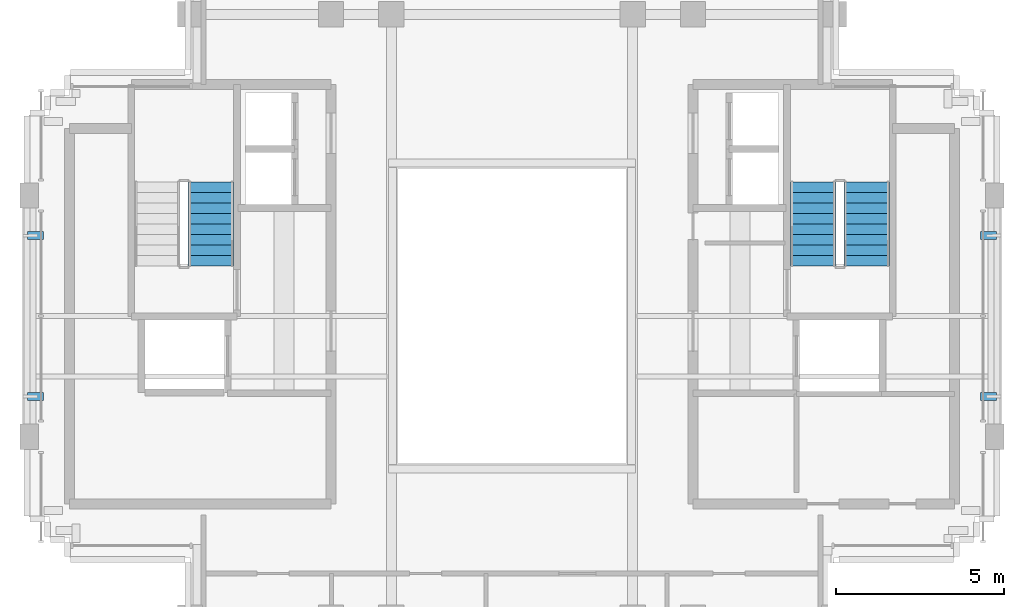
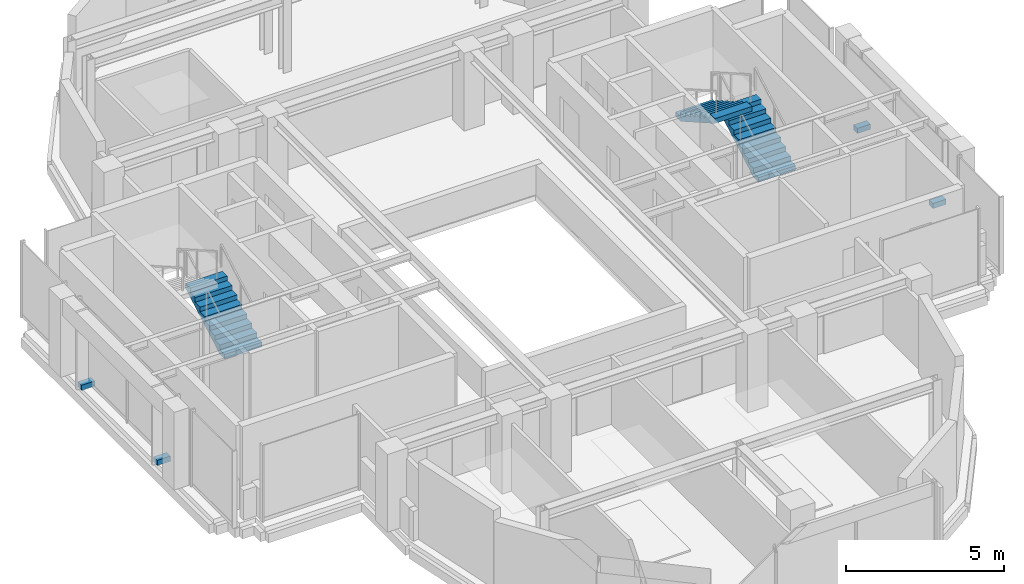
# One storey, part 9 of 11: 4 discrete accessories, 3 stair flights, 2 elements without a shape of their own.
"""IFC4 building model written with IfcOpenShell, lengths in metres."""

from ifc_helpers import new_model, si_unit, direction, frame, origin, origin_2d, place, context, subcontext, project, spatial, polyline, rectangle, outline, extrude, source, transform, mapped, material, type_object, element, aggregate, save


model = new_model("IFC4")

# Units and contexts
model_context = context("Model", 3, precision=1e-05, world=origin(), true_north=direction((0.0, 1.0)))
body_context = subcontext(model_context, "Body", "Model", "MODEL_VIEW")
ifc_project = project(units=[si_unit("LENGTHUNIT", "METRE"), si_unit("AREAUNIT", "SQUARE_METRE"), si_unit("VOLUMEUNIT", "CUBIC_METRE"), si_unit("PLANEANGLEUNIT", "RADIAN"), si_unit("MASSUNIT", "GRAM", prefix="KILO")], contexts=[model_context])

# Site, building, storey
site_placement = place(None, origin())
site = spatial("IfcSite", under=ifc_project, at=site_placement, CompositionType="ELEMENT")
building_placement = place(site_placement, origin())
building = spatial("IfcBuilding", under=site, at=building_placement, Name="Keilestroom Media Tower", CompositionType="ELEMENT")
storey_placement = place(building_placement, frame((0.0, 0.0, 265.199951171875)))
storey = spatial("IfcBuildingStorey", under=building, at=storey_placement, Name="L74", CompositionType="ELEMENT", Elevation=265.199951171875)

# Stair, stair flight
ifc_material_1 = material(Name="Concrete C45/55", Category="concrete")
stair_type = type_object("IfcStairType", Name="Enclosed-Dog-Leg-Stair-ST-CORE", PredefinedType="HALF_TURN_STAIR", material=ifc_material_1)
stair_1_placement = place(storey_placement, origin())
stair_1 = element("IfcStair", 1, at=stair_1_placement, inside=storey, type_object=stair_type, Name="L74 West Core Escape Stair ST-1", PredefinedType="HALF_TURN_STAIR")
ifc_material_2 = material(Name="Precast concrete C40/50", Category="concrete")
stair_flight_type = type_object("IfcStairFlightType", Name="Precast-Concrete-Stair-Flight-Core-160", PredefinedType="STRAIGHT", material=ifc_material_2)
stair_flight_1_placement = place(storey_placement, frame((-8.97998046875, 1.5, 0.0), z_axis=(0.0, 0.0, 1.0), x_axis=(0.0, 1.0, 0.0)))
stair_flight_1 = element("IfcStairFlight", 2, at=stair_flight_1_placement, type_object=stair_flight_type, Name="ST-1 flight 1", NumberOfRisers=9, NumberOfTreads=8, PredefinedType="STRAIGHT", RiserHeight=0.177777778, TreadLength=0.312, context=body_context, shape_type="SweptSolid", body=[
    extrude(outline(polyline([(0.0, 0.0), (0.0, 0.177734375), (0.31201171875, 0.177734375), (0.31201171875, 0.35546875), (0.6240234375, 0.35546875), (0.6240234375, 0.533447265625), (0.93603515625, 0.533447265625), (0.93603515625, 0.711181640625), (1.248046875, 0.711181640625), (1.248046875, 0.888916015625), (1.56005859375, 0.888916015625), (1.56005859375, 1.066650390625), (1.8720703125, 1.066650390625), (1.8720703125, 1.244384765625), (2.18408203125, 1.244384765625), (2.18408203125, 1.422119140625), (2.49609375, 1.422119140625), (2.49609375, 1.60009765625), (2.49609375, 1.23828125), (0.322998046875, 0.0), (0.0, 0.0)])), frame((0.0, 0.68017578125, 0.0), z_axis=(0.0, -1.0, 0.0), x_axis=(1.0, 0.0, 0.0)), (0.0, 0.0, 1.0), 1.360107421875),
])
aggregate(stair_1, [stair_flight_1])

# Stair, stair flights
stair_2_placement = place(storey_placement, origin())
stair_2 = element("IfcStair", 3, at=stair_2_placement, inside=storey, type_object=stair_type, Name="L74 East Core Escape Stair ST-2", PredefinedType="HALF_TURN_STAIR")
stair_flight_2_placement = place(storey_placement, frame((10.580078125, 1.5, 0.0), z_axis=(0.0, 0.0, 1.0), x_axis=(0.0, 1.0, 0.0)))
stair_flight_2 = element("IfcStairFlight", 4, at=stair_flight_2_placement, type_object=stair_flight_type, Name="ST-2 flight 1", NumberOfRisers=9, NumberOfTreads=8, PredefinedType="STRAIGHT", RiserHeight=0.177777778, TreadLength=0.312, context=body_context, shape_type="SweptSolid", body=[
    extrude(outline(polyline([(0.0, 0.0), (0.0, 0.177734375), (0.31201171875, 0.177734375), (0.31201171875, 0.35546875), (0.6240234375, 0.35546875), (0.6240234375, 0.533447265625), (0.93603515625, 0.533447265625), (0.93603515625, 0.711181640625), (1.248046875, 0.711181640625), (1.248046875, 0.888916015625), (1.56005859375, 0.888916015625), (1.56005859375, 1.066650390625), (1.8720703125, 1.066650390625), (1.8720703125, 1.244384765625), (2.18408203125, 1.244384765625), (2.18408203125, 1.422119140625), (2.49609375, 1.422119140625), (2.49609375, 1.60009765625), (2.49609375, 1.23828125), (0.322998046875, 0.0), (0.0, 0.0)])), frame((0.0, 0.68017578125, 0.0), z_axis=(0.0, -1.0, 0.0), x_axis=(1.0, 0.0, 0.0)), (0.0, 0.0, 1.0), 1.360107421875),
])
stair_flight_3_placement = place(storey_placement, frame((8.97998046875, 3.99609375, 1.60009765625), z_axis=(0.0, 0.0, 1.0), x_axis=(0.0, -1.0, 0.0)))
stair_flight_3 = element("IfcStairFlight", 5, at=stair_flight_3_placement, type_object=stair_flight_type, Name="ST-2 flight 2", NumberOfRisers=9, NumberOfTreads=8, PredefinedType="STRAIGHT", RiserHeight=0.177777778, TreadLength=0.312, context=body_context, shape_type="SweptSolid", body=[
    extrude(outline(polyline([(0.0, 0.0), (0.0, 0.177734375), (0.31201171875, 0.177734375), (0.31201171875, 0.35546875), (0.6240234375, 0.35546875), (0.6240234375, 0.533447265625), (0.93603515625, 0.533447265625), (0.93603515625, 0.711181640625), (1.248046875, 0.711181640625), (1.248046875, 0.888916015625), (1.56005859375, 0.888916015625), (1.56005859375, 1.066650390625), (1.8720703125, 1.066650390625), (1.8720703125, 1.244384765625), (2.18408203125, 1.244384765625), (2.18408203125, 1.422119140625), (2.49609375, 1.422119140625), (2.49609375, 1.60009765625), (2.49609375, 1.23828125), (0.322998046875, 0.0), (0.0, 0.0)])), frame((0.0, 0.68017578125, 0.0), z_axis=(0.0, -1.0, 0.0), x_axis=(1.0, 0.0, 0.0)), (0.0, 0.0, 1.0), 1.360107421875),
])
aggregate(stair_2, [stair_flight_2, stair_flight_3])

# Discrete accessories
ifc_material_3 = material(Name="Stainless Steel 1.4401", Category="steel")
discrete_accessory_type = type_object("IfcDiscreteAccessoryType", Name="Facade-Fin-Fixing-Bracket-BRK-1", PredefinedType="BRACKET", material=ifc_material_3)
shared_shape = source(origin(), body_context, "Body", "SweptSolid", [
    extrude(rectangle(XDim=0.47998046875, YDim=0.239990234375, at=origin_2d()), origin(), (0.0, 0.0, 1.0), 0.199951171875),
])
for number, where, z_axis, x_axis, name in (
    (6, (-14.2099609375, -2.39990234375, -0.009765625), (0.0, 0.0, 1.0), (1.0, 0.0, 0.0), "L74 Sunshade Fin Bracket BRK-1 109"),
    (7, (-14.2099609375, 2.39990234375, -0.009765625), (0.0, 0.0, 1.0), (1.0, 0.0, 0.0), "L74 Sunshade Fin Bracket BRK-1 110"),
    (8, (14.2099609375, -2.39990234375, -0.009765625), (0.0, 0.0, 1.0), (1.0, 0.0, 0.0), "L74 Sunshade Fin Bracket BRK-1 111"),
    (9, (14.2099609375, 2.39990234375, -0.009765625), (0.0, 0.0, 1.0), (1.0, 0.0, 0.0), "L74 Sunshade Fin Bracket BRK-1 112"),
):
    element("IfcDiscreteAccessory", number, at=place(storey_placement, frame(where, z_axis=z_axis, x_axis=x_axis)), inside=storey, type_object=discrete_accessory_type, Name=name, PredefinedType="BRACKET", context=body_context, shape_type="MappedRepresentation", body=[
        mapped(shared_shape, transform((0.0, 0.0, 0.0), x_axis=(1.0, 0.0, 0.0), y_axis=(0.0, 1.0, 0.0), z_axis=(0.0, 0.0, 1.0), scale=1.0)),
    ])

save(model, "model.ifc")
